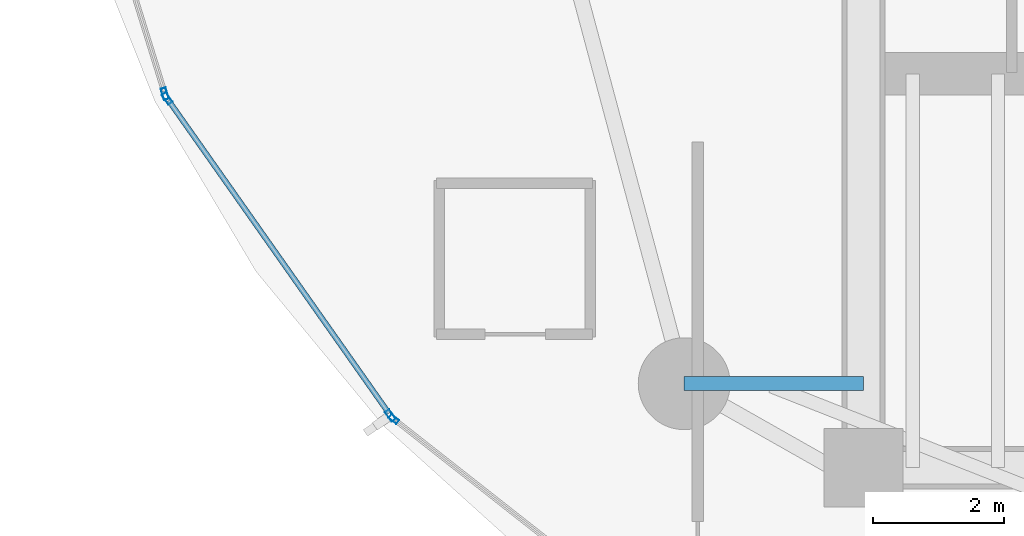
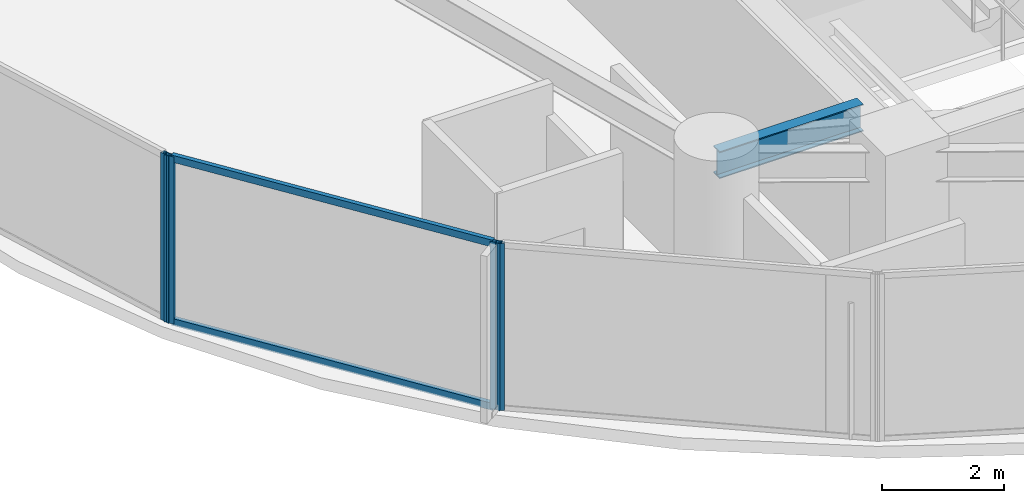
# One storey, part 3 of 32: 6 members, 1 beam, 3 elements without a shape of their own.
"""IFC4 building model written with IfcOpenShell, lengths in metres."""

from ifc_helpers import new_model, si_unit, direction, frame, origin, origin_2d, place, context, subcontext, project, spatial, hollow_rectangle, i_section, extrude, material, layer, layer_set, material_profile, profile_set, type_object, element, aggregate, save


model = new_model("IFC4")

# Units and contexts
model_context = context("Model", 3, precision=1e-05, world=origin(), true_north=direction((0.0, 1.0)))
body_context = subcontext(model_context, "Body", "Model", "MODEL_VIEW")
ifc_project = project(units=[si_unit("LENGTHUNIT", "METRE"), si_unit("AREAUNIT", "SQUARE_METRE"), si_unit("VOLUMEUNIT", "CUBIC_METRE"), si_unit("PLANEANGLEUNIT", "RADIAN"), si_unit("MASSUNIT", "GRAM", prefix="KILO")], contexts=[model_context])

# Site, building, storey
site_placement = place(None, origin())
site = spatial("IfcSite", under=ifc_project, at=site_placement, CompositionType="ELEMENT")
building_placement = place(site_placement, origin())
building = spatial("IfcBuilding", under=site, at=building_placement, Name="Kazevale Care Tower and Concert Hall", CompositionType="ELEMENT")
storey_placement = place(building_placement, frame((0.0, 0.0, 34.800048828125)))
storey = spatial("IfcBuildingStorey", under=building, at=storey_placement, Name="L08", CompositionType="ELEMENT", Elevation=34.800048828125)

# Curtain wall, members
ifc_material_1 = material(Name="Aluminium 6063-T6 and Low-E Glass", Category="aluminium")
ifc_layer_1 = layer(ifc_material_1, 0.179931640625)
ifc_layer_set_1 = layer_set([ifc_layer_1], Name="Aluminium 6063-T6 and Low-E Glass")
curtain_wall_type_1 = type_object("IfcCurtainWallType", Name="Waist & Upper Residential Curtain Wall CW-4", PredefinedType="NOTDEFINED", material=ifc_layer_set_1)
curtain_wall_1_placement = place(storey_placement, origin())
curtain_wall_1 = element("IfcCurtainWall", 1, at=curtain_wall_1_placement, inside=storey, type_object=curtain_wall_type_1, Name="cw:L08:f11", PredefinedType="NOTDEFINED")
ifc_material_2 = material(Name="Aluminium 6063-T6", Category="aluminium")
ifc_material_profile_1 = material_profile(ifc_material_2, hollow_rectangle(XDim=0.080078125, YDim=0.179931640625, WallThickness=0.0048828125, at=origin_2d()), Name="ALU80x180x5")
ifc_profile_set_1 = profile_set([ifc_material_profile_1], Name="Aluminium 6063-T6")
member_type_1 = type_object("IfcMemberType", Name="CW-4 Mullion ALU80x180x5", PredefinedType="MULLION", material=ifc_profile_set_1)
member_1_placement = place(storey_placement, frame((14.794921875, 24.396728515625, 0.0), z_axis=(0.0, 0.0, 1.0), x_axis=(-0.817564654583, -0.575836813322, 0.0)))
member_1 = element("IfcMember", 2, at=member_1_placement, type_object=member_type_1, Name="CW-4 mullion 1", PredefinedType="MULLION", context=body_context, shape_type="SweptSolid", body=[
    extrude(hollow_rectangle(XDim=0.080078125, YDim=0.179931640625, WallThickness=0.0048828125, at=origin_2d()), origin(), (0.0, 0.0, 1.0), 3.35986328125),
])
member_2_placement = place(storey_placement, frame((11.39404296875, 29.225341796875, 0.0), z_axis=(0.0, 0.0, 1.0), x_axis=(-0.817564654583, -0.575836813322, 0.0)))
member_2 = element("IfcMember", 3, at=member_2_placement, type_object=member_type_1, Name="CW-4 mullion 2", PredefinedType="MULLION", context=body_context, shape_type="SweptSolid", body=[
    extrude(hollow_rectangle(XDim=0.080078125, YDim=0.179931640625, WallThickness=0.0048828125, at=origin_2d()), origin(), (0.0, 0.0, 1.0), 3.35986328125),
])

# Curtain wall, member
curtain_wall_2_placement = place(storey_placement, origin())
curtain_wall_2 = element("IfcCurtainWall", 4, at=curtain_wall_2_placement, inside=storey, type_object=curtain_wall_type_1, Name="cw:L08:f12", PredefinedType="NOTDEFINED")
member_3_placement = place(storey_placement, frame((11.359130859375, 29.296142578125, 0.0), z_axis=(0.0, 0.0, 1.0), x_axis=(-0.955157326175, -0.296098771112, 0.0)))
member_3 = element("IfcMember", 5, at=member_3_placement, type_object=member_type_1, Name="CW-4 mullion 1", PredefinedType="MULLION", context=body_context, shape_type="SweptSolid", body=[
    extrude(hollow_rectangle(XDim=0.080078125, YDim=0.179931640625, WallThickness=0.0048828125, at=origin_2d()), origin(), (0.0, 0.0, 1.0), 3.35986328125),
])
aggregate(curtain_wall_2, [member_3])

# Member
ifc_material_profile_2 = material_profile(ifc_material_2, hollow_rectangle(XDim=0.080078125, YDim=0.139892578125, WallThickness=0.00390625, at=origin_2d()), Name="ALU80x140x4")
ifc_profile_set_2 = profile_set([ifc_material_profile_2], Name="Aluminium 6063-T6")
member_type_2 = type_object("IfcMemberType", Name="CW-4 Transom ALU80x140x4", PredefinedType="USERDEFINED", material=ifc_profile_set_2)
member_4_placement = place(storey_placement, frame((14.77197265625, 24.429443359375, 0.0400390625), z_axis=(-0.575850423039, 0.817555068657, 0.0), x_axis=(-0.817555068657, -0.575850423039, 0.0)))
member_4 = element("IfcMember", 6, at=member_4_placement, type_object=member_type_2, Name="CW-4 transom 1.1", ObjectType="TRANSOM", PredefinedType="USERDEFINED", context=body_context, shape_type="SweptSolid", body=[
    extrude(hollow_rectangle(XDim=0.080078125, YDim=0.139892578125, WallThickness=0.00390625, at=origin_2d()), origin(), (0.0, 0.0, 1.0), 5.826171875),
])

member_5_placement = place(storey_placement, frame((14.77197265625, 24.429443359375, 3.320068359375), z_axis=(-0.575850423039, 0.817555068657, 0.0), x_axis=(-0.817555068657, -0.575850423039, 0.0)))
member_5 = element("IfcMember", 7, at=member_5_placement, type_object=member_type_2, Name="CW-4 transom 1.2", ObjectType="TRANSOM", PredefinedType="USERDEFINED", context=body_context, shape_type="SweptSolid", body=[
    extrude(hollow_rectangle(XDim=0.080078125, YDim=0.139892578125, WallThickness=0.00390625, at=origin_2d()), origin(), (0.0, 0.0, 1.0), 5.826171875),
])

aggregate(curtain_wall_1, [member_1, member_2, member_4, member_5])

# Curtain wall, member
ifc_layer_2 = layer(ifc_material_1, 0.179931640625)
ifc_layer_set_2 = layer_set([ifc_layer_2], Name="Aluminium 6063-T6 and Low-E Glass")
curtain_wall_type_2 = type_object("IfcCurtainWallType", Name="Sheltered Concave Balcony Curtain Wall CW-5", PredefinedType="NOTDEFINED", material=ifc_layer_set_2)
curtain_wall_3_placement = place(storey_placement, origin())
curtain_wall_3 = element("IfcCurtainWall", 8, at=curtain_wall_3_placement, inside=storey, type_object=curtain_wall_type_2, Name="cw:L08:f10", PredefinedType="NOTDEFINED")
ifc_material_profile_3 = material_profile(ifc_material_2, hollow_rectangle(XDim=0.074951171875, YDim=0.14990234375, WallThickness=0.00390625, at=origin_2d()), Name="ALU75x150x4")
ifc_profile_set_3 = profile_set([ifc_material_profile_3], Name="Aluminium 6063-T6")
member_type_3 = type_object("IfcMemberType", Name="CW-5 Mullion ALU75x150x4", PredefinedType="MULLION", material=ifc_profile_set_3)
member_6_placement = place(storey_placement, frame((14.847412109375, 24.3408203125, 0.0), z_axis=(0.0, 0.0, 1.0), x_axis=(-0.617807548814, -0.78632934107, 0.0)))
member_6 = element("IfcMember", 9, at=member_6_placement, type_object=member_type_3, Name="CW-5 mullion 2", PredefinedType="MULLION", context=body_context, shape_type="SweptSolid", body=[
    extrude(hollow_rectangle(XDim=0.074951171875, YDim=0.14990234375, WallThickness=0.00390625, at=origin_2d()), origin(), (0.0, 0.0, 1.0), 3.35986328125),
])
aggregate(curtain_wall_3, [member_6])

# Beam
ifc_material_3 = material(Name="Steel ASTM A572 Gr 50", Category="steel")
ifc_material_profile_4 = material_profile(ifc_material_3, i_section(OverallWidth=0.2119140625, OverallDepth=0.5439453125, WebThickness=0.01318359375, FlangeThickness=0.021240234375, at=origin_2d()), Name="W530x123")
ifc_profile_set_4 = profile_set([ifc_material_profile_4], Name="Steel ASTM A572 Gr 50")
beam_type = type_object("IfcBeamType", Name="Radial Floor Girder W530x123", PredefinedType="BEAM", material=ifc_profile_set_4)
beam_placement = place(storey_placement, frame((22.0, 24.8798828125, 3.087890625), z_axis=(-1.0, 0.0, 0.0), x_axis=(0.0, -1.0, 0.0)))
element("IfcBeam", 10, at=beam_placement, inside=storey, type_object=beam_type, Name="beam:L08:rad:10", PredefinedType="BEAM", context=body_context, shape_type="SweptSolid", body=[
    extrude(i_section(OverallWidth=0.2119140625, OverallDepth=0.5439453125, WebThickness=0.01318359375, FlangeThickness=0.021240234375, at=origin_2d()), origin(), (0.0, 0.0, 1.0), 2.72998046875),
])

save(model, "model.ifc")
